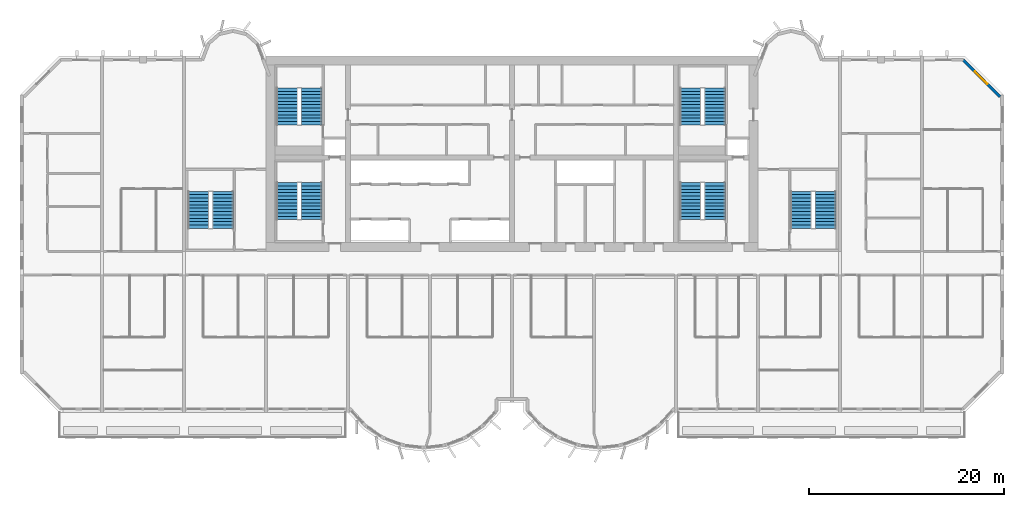
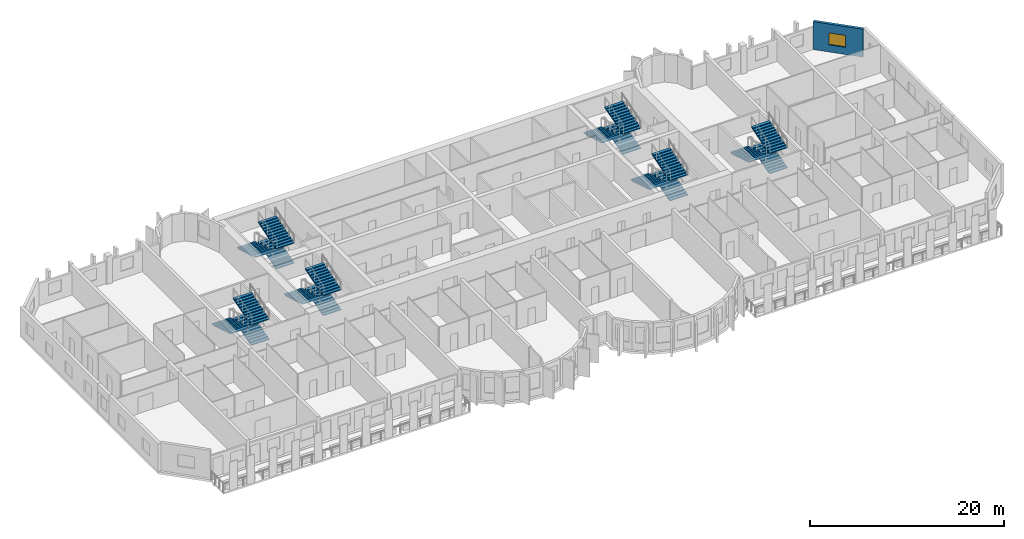
# One storey, part 11 of 14: 18 stair flights, 1 wall, 1 window, 1 opening, 6 elements without a shape of their own.
"""IFC4 building model written with IfcOpenShell, lengths in metres."""

from ifc_helpers import new_model, si_unit, direction, frame, frame_2d, origin, place, context, subcontext, project, spatial, polyline, rectangle, outline, extrude, source, transform, mapped, material, layer, layer_set, type_object, element, fill, aggregate, save


model = new_model("IFC4")

# Units and contexts
model_context = context("Model", 3, precision=1e-05, world=origin(), true_north=direction((0.0, 1.0)))
body_context = subcontext(model_context, "Body", "Model", "MODEL_VIEW")
ifc_project = project(units=[si_unit("LENGTHUNIT", "METRE"), si_unit("AREAUNIT", "SQUARE_METRE"), si_unit("VOLUMEUNIT", "CUBIC_METRE"), si_unit("PLANEANGLEUNIT", "RADIAN"), si_unit("MASSUNIT", "GRAM", prefix="KILO")], contexts=[model_context])

# Site, building, storey
site_placement = place(None, origin())
site = spatial("IfcSite", under=ifc_project, at=site_placement, CompositionType="ELEMENT")
building_placement = place(site_placement, origin())
building = spatial("IfcBuilding", under=site, at=building_placement, Name="Vanashikhar Sky Hotel", CompositionType="ELEMENT")
storey_placement = place(building_placement, frame((0.0, 0.0, 114.199951171875)))
storey = spatial("IfcBuildingStorey", under=building, at=storey_placement, Name="L27", CompositionType="ELEMENT", Elevation=114.199951171875)

# Wall, opening, window
ifc_material_1 = material(Name="Concrete M50", Category="concrete")
ifc_layer = layer(ifc_material_1, 0.300048828125)
ifc_layer_set = layer_set([ifc_layer], Name="Lobe wall 300")
wall_type = type_object("IfcWallType", Name="Lobe wall 300", PredefinedType="SOLIDWALL", material=ifc_layer_set)
shared_shape_1 = source(origin(), body_context, "Body", "SweptSolid", [
    extrude(rectangle(XDim=5.32568359375, YDim=0.300048828125, at=frame_2d((2.662841796875, 0.0))), origin(), (0.0, 0.0, 1.0), 3.52001953125),
])
wall_placement = place(storey_placement, frame((100.39990234375, 37.834228515625, 0.0), z_axis=(0.0, 0.0, 1.0), x_axis=(-0.707083859269, 0.707129702361, 0.0)))
wall = element("IfcWall", 1, at=wall_placement, inside=storey, type_object=wall_type, Name="Corner wall", PredefinedType="SOLIDWALL", context=body_context, shape_type="MappedRepresentation", body=[
    mapped(shared_shape_1, transform((0.0, 0.0, 0.0), scale=1.0)),
])
shared_shape_2 = source(origin(), body_context, "Body", "SweptSolid", [
    extrude(rectangle(XDim=1.800048828125, YDim=1.5, at=frame_2d((0.89990234375, 0.75))), frame((0.0, 0.16015625, 0.0), z_axis=(0.0, -1.0, 0.0), x_axis=(1.0, 0.0, 0.0)), (0.0, 0.0, 1.0), 0.320068359375),
])
opening_placement = place(wall_placement, frame((1.853759765625, 0.0, 0.89990234375)))
opening = element("IfcOpeningElement", 2, at=opening_placement, cuts=wall, Name="Opening WN-4", PredefinedType="OPENING", context=body_context, shape_type="MappedRepresentation", body=[
    mapped(shared_shape_2, transform((0.0, 0.0, 0.0), scale=1.0)),
])
ifc_material_2 = material(Name="Glass", Category="glass")
window_type = type_object("IfcWindowType", Name="Corner window 1800 x 1500", PartitioningType="SINGLE_PANEL", PredefinedType="WINDOW", material=ifc_material_2)
shared_shape_3 = source(origin(), body_context, "Body", "SweptSolid", [
    extrude(rectangle(XDim=1.800048828125, YDim=1.5, at=frame_2d((0.89990234375, 0.75))), frame((0.0, 0.030029296875, 0.0), z_axis=(0.0, -1.0, 0.0), x_axis=(1.0, 0.0, 0.0)), (0.0, 0.0, 1.0), 0.06005859375),
])
window_placement = place(opening_placement, origin())
window = element("IfcWindow", 3, at=window_placement, inside=storey, type_object=window_type, Name="Window WN-4", OverallHeight=1.5, OverallWidth=1.800048828125, PartitioningType="SINGLE_PANEL", PredefinedType="WINDOW", context=body_context, shape_type="MappedRepresentation", body=[
    mapped(shared_shape_3, transform((0.0, 0.0, 0.0), scale=1.0)),
])
fill(opening, window)

# Stair, stair flights
ifc_material_3 = material(Name="Concrete M40", Category="concrete")
stair_type = type_object("IfcStairType", Name="Exit stair 2150", PredefinedType="DOUBLE_RETURN_STAIR", material=ifc_material_3)
stair_1_placement = place(storey_placement, origin())
stair_1 = element("IfcStair", 4, at=stair_1_placement, inside=storey, type_object=stair_type, Name="L27 Exit stair 1", PredefinedType="DOUBLE_RETURN_STAIR")
stair_flight_type = type_object("IfcStairFlightType", Name="Stair flight 2150", PredefinedType="STRAIGHT", material=ifc_material_3)
shared_shape_4 = source(origin(), body_context, "Body", "SweptSolid", [
    extrude(outline(polyline([(0.0, 0.0), (0.0, 0.10546875), (0.345458984375, 0.10546875), (0.345458984375, 0.211181640625), (0.69091796875, 0.211181640625), (0.69091796875, 0.316650390625), (1.036376953125, 0.316650390625), (1.036376953125, 0.422119140625), (1.3818359375, 0.422119140625), (1.3818359375, 0.52783203125), (1.727294921875, 0.52783203125), (1.727294921875, 0.63330078125), (2.07275390625, 0.63330078125), (2.07275390625, 0.73876953125), (2.418212890625, 0.73876953125), (2.418212890625, 0.844482421875), (2.763671875, 0.844482421875), (2.763671875, 0.949951171875), (3.109130859375, 0.949951171875), (3.109130859375, 1.0556640625), (3.45458984375, 1.0556640625), (3.45458984375, 1.1611328125), (3.800048828125, 1.1611328125), (3.800048828125, 1.2666015625), (3.800048828125, 1.035400390625), (0.4111328125, 0.0), (0.0, 0.0)])), frame((0.0, 1.074951171875, 0.0), z_axis=(0.0, -1.0, 0.0), x_axis=(1.0, 0.0, 0.0)), (0.0, 0.0, 1.0), 2.14990234375),
])
stair_flight_1_placement = place(storey_placement, frame((29.875, 25.25, 0.0), z_axis=(0.0, 0.0, 1.0), x_axis=(0.0, 1.0, 0.0)))
stair_flight_1 = element("IfcStairFlight", 5, at=stair_flight_1_placement, type_object=stair_flight_type, Name="ST-C1 flight 1", NumberOfRisers=12, NumberOfTreads=11, PredefinedType="STRAIGHT", RiserHeight=0.105555556, TreadLength=0.345454545, context=body_context, shape_type="MappedRepresentation", body=[
    mapped(shared_shape_4, transform((0.0, 0.0, 0.0), scale=1.0)),
])
stair_flight_2_placement = place(storey_placement, frame((27.375, 29.050048828125, 1.2666015625), z_axis=(0.0, 0.0, 1.0), x_axis=(0.0, -1.0, 0.0)))
stair_flight_2 = element("IfcStairFlight", 6, at=stair_flight_2_placement, type_object=stair_flight_type, Name="ST-C1 flight 2", NumberOfRisers=12, NumberOfTreads=11, PredefinedType="STRAIGHT", RiserHeight=0.105555556, TreadLength=0.345454545, context=body_context, shape_type="MappedRepresentation", body=[
    mapped(shared_shape_4, transform((0.0, 0.0, 0.0), scale=1.0)),
])
stair_flight_3_placement = place(storey_placement, frame((29.875, 25.25, 2.533447265625), z_axis=(0.0, 0.0, 1.0), x_axis=(0.0, 1.0, 0.0)))
stair_flight_3 = element("IfcStairFlight", 7, at=stair_flight_3_placement, type_object=stair_flight_type, Name="ST-C1 flight 3", NumberOfRisers=12, NumberOfTreads=11, PredefinedType="STRAIGHT", RiserHeight=0.105555556, TreadLength=0.345454545, context=body_context, shape_type="MappedRepresentation", body=[
    mapped(shared_shape_4, transform((0.0, 0.0, 0.0), scale=1.0)),
])
aggregate(stair_1, [stair_flight_1, stair_flight_2, stair_flight_3])

stair_2_placement = place(storey_placement, origin())
stair_2 = element("IfcStair", 8, at=stair_2_placement, inside=storey, type_object=stair_type, Name="L27 Exit stair 2", PredefinedType="DOUBLE_RETURN_STAIR")
stair_flight_4_placement = place(storey_placement, frame((71.175048828125, 25.25, 0.0), z_axis=(0.0, 0.0, 1.0), x_axis=(0.0, 1.0, 0.0)))
stair_flight_4 = element("IfcStairFlight", 9, at=stair_flight_4_placement, type_object=stair_flight_type, Name="ST-C2 flight 1", NumberOfRisers=12, NumberOfTreads=11, PredefinedType="STRAIGHT", RiserHeight=0.105555556, TreadLength=0.345454545, context=body_context, shape_type="MappedRepresentation", body=[
    mapped(shared_shape_4, transform((0.0, 0.0, 0.0), scale=1.0)),
])
stair_flight_5_placement = place(storey_placement, frame((68.675048828125, 29.050048828125, 1.2666015625), z_axis=(0.0, 0.0, 1.0), x_axis=(0.0, -1.0, 0.0)))
stair_flight_5 = element("IfcStairFlight", 10, at=stair_flight_5_placement, type_object=stair_flight_type, Name="ST-C2 flight 2", NumberOfRisers=12, NumberOfTreads=11, PredefinedType="STRAIGHT", RiserHeight=0.105555556, TreadLength=0.345454545, context=body_context, shape_type="MappedRepresentation", body=[
    mapped(shared_shape_4, transform((0.0, 0.0, 0.0), scale=1.0)),
])
stair_flight_6_placement = place(storey_placement, frame((71.175048828125, 25.25, 2.533447265625), z_axis=(0.0, 0.0, 1.0), x_axis=(0.0, 1.0, 0.0)))
stair_flight_6 = element("IfcStairFlight", 11, at=stair_flight_6_placement, type_object=stair_flight_type, Name="ST-C2 flight 3", NumberOfRisers=12, NumberOfTreads=11, PredefinedType="STRAIGHT", RiserHeight=0.105555556, TreadLength=0.345454545, context=body_context, shape_type="MappedRepresentation", body=[
    mapped(shared_shape_4, transform((0.0, 0.0, 0.0), scale=1.0)),
])
aggregate(stair_2, [stair_flight_4, stair_flight_5, stair_flight_6])

stair_3_placement = place(storey_placement, origin())
stair_3 = element("IfcStair", 12, at=stair_3_placement, inside=storey, type_object=stair_type, Name="L27 Exit stair 3", PredefinedType="DOUBLE_RETURN_STAIR")
stair_flight_7_placement = place(storey_placement, frame((20.77490234375, 24.35009765625, 0.0), z_axis=(0.0, 0.0, 1.0), x_axis=(0.0, 1.0, 0.0)))
stair_flight_7 = element("IfcStairFlight", 13, at=stair_flight_7_placement, type_object=stair_flight_type, Name="ST-W flight 1", NumberOfRisers=12, NumberOfTreads=11, PredefinedType="STRAIGHT", RiserHeight=0.105555556, TreadLength=0.345454545, context=body_context, shape_type="MappedRepresentation", body=[
    mapped(shared_shape_4, transform((0.0, 0.0, 0.0), scale=1.0)),
])
stair_flight_8_placement = place(storey_placement, frame((18.27490234375, 28.14990234375, 1.2666015625), z_axis=(0.0, 0.0, 1.0), x_axis=(0.0, -1.0, 0.0)))
stair_flight_8 = element("IfcStairFlight", 14, at=stair_flight_8_placement, type_object=stair_flight_type, Name="ST-W flight 2", NumberOfRisers=12, NumberOfTreads=11, PredefinedType="STRAIGHT", RiserHeight=0.105555556, TreadLength=0.345454545, context=body_context, shape_type="MappedRepresentation", body=[
    mapped(shared_shape_4, transform((0.0, 0.0, 0.0), scale=1.0)),
])
stair_flight_9_placement = place(storey_placement, frame((20.77490234375, 24.35009765625, 2.533447265625), z_axis=(0.0, 0.0, 1.0), x_axis=(0.0, 1.0, 0.0)))
stair_flight_9 = element("IfcStairFlight", 15, at=stair_flight_9_placement, type_object=stair_flight_type, Name="ST-W flight 3", NumberOfRisers=12, NumberOfTreads=11, PredefinedType="STRAIGHT", RiserHeight=0.105555556, TreadLength=0.345454545, context=body_context, shape_type="MappedRepresentation", body=[
    mapped(shared_shape_4, transform((0.0, 0.0, 0.0), scale=1.0)),
])
aggregate(stair_3, [stair_flight_7, stair_flight_8, stair_flight_9])

stair_4_placement = place(storey_placement, origin())
stair_4 = element("IfcStair", 16, at=stair_4_placement, inside=storey, type_object=stair_type, Name="L27 Exit stair 4", PredefinedType="DOUBLE_RETURN_STAIR")
stair_flight_10_placement = place(storey_placement, frame((82.52490234375, 24.35009765625, 0.0), z_axis=(0.0, 0.0, 1.0), x_axis=(0.0, 1.0, 0.0)))
stair_flight_10 = element("IfcStairFlight", 17, at=stair_flight_10_placement, type_object=stair_flight_type, Name="ST-E flight 1", NumberOfRisers=12, NumberOfTreads=11, PredefinedType="STRAIGHT", RiserHeight=0.105555556, TreadLength=0.345454545, context=body_context, shape_type="MappedRepresentation", body=[
    mapped(shared_shape_4, transform((0.0, 0.0, 0.0), scale=1.0)),
])
stair_flight_11_placement = place(storey_placement, frame((80.02490234375, 28.14990234375, 1.2666015625), z_axis=(0.0, 0.0, 1.0), x_axis=(0.0, -1.0, 0.0)))
stair_flight_11 = element("IfcStairFlight", 18, at=stair_flight_11_placement, type_object=stair_flight_type, Name="ST-E flight 2", NumberOfRisers=12, NumberOfTreads=11, PredefinedType="STRAIGHT", RiserHeight=0.105555556, TreadLength=0.345454545, context=body_context, shape_type="MappedRepresentation", body=[
    mapped(shared_shape_4, transform((0.0, 0.0, 0.0), scale=1.0)),
])
stair_flight_12_placement = place(storey_placement, frame((82.52490234375, 24.35009765625, 2.533447265625), z_axis=(0.0, 0.0, 1.0), x_axis=(0.0, 1.0, 0.0)))
stair_flight_12 = element("IfcStairFlight", 19, at=stair_flight_12_placement, type_object=stair_flight_type, Name="ST-E flight 3", NumberOfRisers=12, NumberOfTreads=11, PredefinedType="STRAIGHT", RiserHeight=0.105555556, TreadLength=0.345454545, context=body_context, shape_type="MappedRepresentation", body=[
    mapped(shared_shape_4, transform((0.0, 0.0, 0.0), scale=1.0)),
])
aggregate(stair_4, [stair_flight_10, stair_flight_11, stair_flight_12])

stair_5_placement = place(storey_placement, origin())
stair_5 = element("IfcStair", 20, at=stair_5_placement, inside=storey, type_object=stair_type, Name="L27 Exit stair 5", PredefinedType="DOUBLE_RETURN_STAIR")
stair_flight_13_placement = place(storey_placement, frame((29.875, 34.949951171875, 0.0), z_axis=(0.0, 0.0, 1.0), x_axis=(0.0, 1.0, 0.0)))
stair_flight_13 = element("IfcStairFlight", 21, at=stair_flight_13_placement, type_object=stair_flight_type, Name="ST-C3 flight 1", NumberOfRisers=12, NumberOfTreads=11, PredefinedType="STRAIGHT", RiserHeight=0.105555556, TreadLength=0.345454545, context=body_context, shape_type="MappedRepresentation", body=[
    mapped(shared_shape_4, transform((0.0, 0.0, 0.0), scale=1.0)),
])
stair_flight_14_placement = place(storey_placement, frame((27.375, 38.75, 1.2666015625), z_axis=(0.0, 0.0, 1.0), x_axis=(0.0, -1.0, 0.0)))
stair_flight_14 = element("IfcStairFlight", 22, at=stair_flight_14_placement, type_object=stair_flight_type, Name="ST-C3 flight 2", NumberOfRisers=12, NumberOfTreads=11, PredefinedType="STRAIGHT", RiserHeight=0.105555556, TreadLength=0.345454545, context=body_context, shape_type="MappedRepresentation", body=[
    mapped(shared_shape_4, transform((0.0, 0.0, 0.0), scale=1.0)),
])
stair_flight_15_placement = place(storey_placement, frame((29.875, 34.949951171875, 2.533447265625), z_axis=(0.0, 0.0, 1.0), x_axis=(0.0, 1.0, 0.0)))
stair_flight_15 = element("IfcStairFlight", 23, at=stair_flight_15_placement, type_object=stair_flight_type, Name="ST-C3 flight 3", NumberOfRisers=12, NumberOfTreads=11, PredefinedType="STRAIGHT", RiserHeight=0.105555556, TreadLength=0.345454545, context=body_context, shape_type="MappedRepresentation", body=[
    mapped(shared_shape_4, transform((0.0, 0.0, 0.0), scale=1.0)),
])
aggregate(stair_5, [stair_flight_13, stair_flight_14, stair_flight_15])

stair_6_placement = place(storey_placement, origin())
stair_6 = element("IfcStair", 24, at=stair_6_placement, inside=storey, type_object=stair_type, Name="L27 Exit stair 6", PredefinedType="DOUBLE_RETURN_STAIR")
stair_flight_16_placement = place(storey_placement, frame((71.175048828125, 34.949951171875, 0.0), z_axis=(0.0, 0.0, 1.0), x_axis=(0.0, 1.0, 0.0)))
stair_flight_16 = element("IfcStairFlight", 25, at=stair_flight_16_placement, type_object=stair_flight_type, Name="ST-C4 flight 1", NumberOfRisers=12, NumberOfTreads=11, PredefinedType="STRAIGHT", RiserHeight=0.105555556, TreadLength=0.345454545, context=body_context, shape_type="MappedRepresentation", body=[
    mapped(shared_shape_4, transform((0.0, 0.0, 0.0), scale=1.0)),
])
stair_flight_17_placement = place(storey_placement, frame((68.675048828125, 38.75, 1.2666015625), z_axis=(0.0, 0.0, 1.0), x_axis=(0.0, -1.0, 0.0)))
stair_flight_17 = element("IfcStairFlight", 26, at=stair_flight_17_placement, type_object=stair_flight_type, Name="ST-C4 flight 2", NumberOfRisers=12, NumberOfTreads=11, PredefinedType="STRAIGHT", RiserHeight=0.105555556, TreadLength=0.345454545, context=body_context, shape_type="MappedRepresentation", body=[
    mapped(shared_shape_4, transform((0.0, 0.0, 0.0), scale=1.0)),
])
stair_flight_18_placement = place(storey_placement, frame((71.175048828125, 34.949951171875, 2.533447265625), z_axis=(0.0, 0.0, 1.0), x_axis=(0.0, 1.0, 0.0)))
stair_flight_18 = element("IfcStairFlight", 27, at=stair_flight_18_placement, type_object=stair_flight_type, Name="ST-C4 flight 3", NumberOfRisers=12, NumberOfTreads=11, PredefinedType="STRAIGHT", RiserHeight=0.105555556, TreadLength=0.345454545, context=body_context, shape_type="MappedRepresentation", body=[
    mapped(shared_shape_4, transform((0.0, 0.0, 0.0), scale=1.0)),
])
aggregate(stair_6, [stair_flight_16, stair_flight_17, stair_flight_18])

save(model, "model.ifc")
